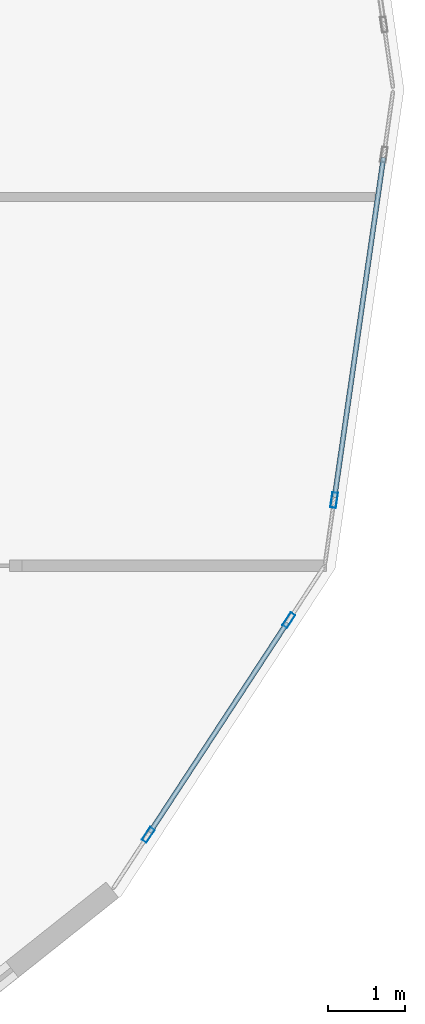
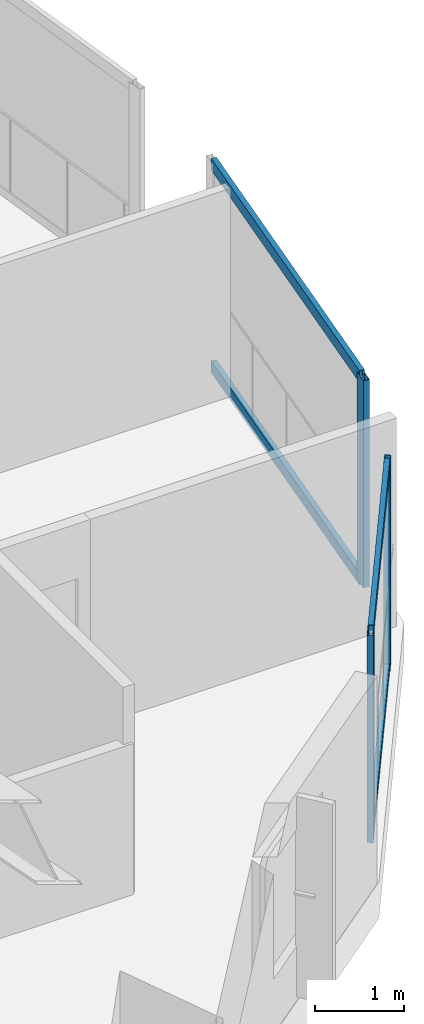
# One storey, part 3 of 14: 7 members, 2 elements without a shape of their own.
"""IFC4 building model written with IfcOpenShell, lengths in metres."""

from ifc_helpers import new_model, si_unit, direction, frame, origin, origin_2d, place, context, subcontext, project, spatial, hollow_rectangle, extrude, material, layer, layer_set, material_profile, profile_set, type_object, element, aggregate, save


model = new_model("IFC4")

# Units and contexts
model_context = context("Model", 3, precision=1e-05, world=origin(), true_north=direction((0.0, 1.0)))
body_context = subcontext(model_context, "Body", "Model", "MODEL_VIEW")
ifc_project = project(units=[si_unit("LENGTHUNIT", "METRE"), si_unit("AREAUNIT", "SQUARE_METRE"), si_unit("VOLUMEUNIT", "CUBIC_METRE"), si_unit("PLANEANGLEUNIT", "RADIAN"), si_unit("MASSUNIT", "GRAM", prefix="KILO")], contexts=[model_context])

# Site, building, storey
site_placement = place(None, origin())
site = spatial("IfcSite", under=ifc_project, at=site_placement, CompositionType="ELEMENT")
building_placement = place(site_placement, origin())
building = spatial("IfcBuilding", under=site, at=building_placement, Name="Solvane Sanctuary Tower", CompositionType="ELEMENT")
storey_placement = place(building_placement, frame((0.0, 0.0, 36.89990234375)))
storey = spatial("IfcBuildingStorey", under=building, at=storey_placement, Name="L10", CompositionType="ELEMENT", Elevation=36.89990234375)

# Curtain wall, members
ifc_material = material(Name="Anodised Aluminium 6063-T6", Category="aluminium")
ifc_layer = layer(ifc_material, 0.2099609375, Name="Anodised Aluminium 6063-T6")
ifc_layer_set = layer_set([ifc_layer], Name="Anodised Aluminium 6063-T6")
curtain_wall_type = type_object("IfcCurtainWallType", Name="Curtain Wall CW-PORTAL", PredefinedType="NOTDEFINED", material=ifc_layer_set)
curtain_wall_1_placement = place(storey_placement, origin())
curtain_wall_1 = element("IfcCurtainWall", 1, at=curtain_wall_1_placement, inside=storey, type_object=curtain_wall_type, Name="L10 CW-PORTAL Facade Run 22", PredefinedType="NOTDEFINED")
ifc_material_profile_1 = material_profile(ifc_material, hollow_rectangle(XDim=0.074951171875, YDim=0.199951171875, WallThickness=0.00390625, at=origin_2d()), Name="ALU200X75X4")
ifc_profile_set_1 = profile_set([ifc_material_profile_1], Name="Anodised Aluminium 6063-T6")
member_type_1 = type_object("IfcMemberType", Name="Member M-CW-MUL-1 ALU200X75X4", PredefinedType="MULLION", material=ifc_profile_set_1)
member_1_placement = place(storey_placement, frame((54.663330078125, 13.2763671875, 0.0), z_axis=(0.0, 0.0, 1.0), x_axis=(-0.836673521159, 0.547701943571, 0.0)))
member_1 = element("IfcMember", 2, at=member_1_placement, type_object=member_type_1, Name="CW-PORTAL mullion 1", PredefinedType="MULLION", context=body_context, shape_type="SweptSolid", body=[
    extrude(hollow_rectangle(XDim=0.074951171875, YDim=0.199951171875, WallThickness=0.00390625, at=origin_2d()), origin(), (0.0, 0.0, 1.0), 2.840087890625),
])
member_2_placement = place(storey_placement, frame((56.496826171875, 16.0771484375, 0.0), z_axis=(0.0, 0.0, 1.0), x_axis=(-0.836673521159, 0.547701943571, 0.0)))
member_2 = element("IfcMember", 3, at=member_2_placement, type_object=member_type_1, Name="CW-PORTAL mullion 2", PredefinedType="MULLION", context=body_context, shape_type="SweptSolid", body=[
    extrude(hollow_rectangle(XDim=0.074951171875, YDim=0.199951171875, WallThickness=0.00390625, at=origin_2d()), origin(), (0.0, 0.0, 1.0), 2.840087890625),
])

# Curtain wall, member
curtain_wall_2_placement = place(storey_placement, origin())
curtain_wall_2 = element("IfcCurtainWall", 4, at=curtain_wall_2_placement, inside=storey, type_object=curtain_wall_type, Name="L10 CW-PORTAL Facade Run 23", PredefinedType="NOTDEFINED")
member_3_placement = place(storey_placement, frame((57.088623046875, 17.643310546875, 0.0), z_axis=(0.0, 0.0, 1.0), x_axis=(-0.989794236162, 0.142503929979, 0.0)))
member_3 = element("IfcMember", 5, at=member_3_placement, type_object=member_type_1, Name="CW-PORTAL mullion 1", PredefinedType="MULLION", context=body_context, shape_type="SweptSolid", body=[
    extrude(hollow_rectangle(XDim=0.074951171875, YDim=0.199951171875, WallThickness=0.00390625, at=origin_2d()), origin(), (0.0, 0.0, 1.0), 2.840087890625),
])

# Member
ifc_material_profile_2 = material_profile(ifc_material, hollow_rectangle(XDim=0.06494140625, YDim=0.159912109375, WallThickness=0.00341796875, at=origin_2d()), Name="ALU160X65X3.5")
ifc_profile_set_2 = profile_set([ifc_material_profile_2], Name="Anodised Aluminium 6063-T6")
member_type_2 = type_object("IfcMemberType", Name="Member M-CW-TRN-1 ALU160X65X3.5", PredefinedType="USERDEFINED", material=ifc_profile_set_2)
member_4_placement = place(storey_placement, frame((54.68408203125, 13.307861328125, 0.03271484375), z_axis=(0.547673418751, 0.836692193338, 0.0), x_axis=(-0.836692193338, 0.547673418751, 0.0)))
member_4 = element("IfcMember", 6, at=member_4_placement, type_object=member_type_2, Name="CW-PORTAL transom 1.1", ObjectType="TRANSOM", PredefinedType="USERDEFINED", context=body_context, shape_type="SweptSolid", body=[
    extrude(hollow_rectangle(XDim=0.06494140625, YDim=0.159912109375, WallThickness=0.00341796875, at=origin_2d()), origin(), (0.0, 0.0, 1.0), 3.2724609375),
])

member_5_placement = place(storey_placement, frame((54.68408203125, 13.307861328125, 2.8076171875), z_axis=(0.547673418751, 0.836692193338, 0.0), x_axis=(-0.836692193338, 0.547673418751, 0.0)))
member_5 = element("IfcMember", 7, at=member_5_placement, type_object=member_type_2, Name="CW-PORTAL transom 1.2", ObjectType="TRANSOM", PredefinedType="USERDEFINED", context=body_context, shape_type="SweptSolid", body=[
    extrude(hollow_rectangle(XDim=0.06494140625, YDim=0.159912109375, WallThickness=0.00341796875, at=origin_2d()), origin(), (0.0, 0.0, 1.0), 3.2724609375),
])

aggregate(curtain_wall_1, [member_1, member_2, member_4, member_5])

member_6_placement = place(storey_placement, frame((57.093994140625, 17.680419921875, 0.03271484375), z_axis=(0.14252000847, 0.989791921156, 0.0), x_axis=(-0.989791921156, 0.14252000847, 0.0)))
member_6 = element("IfcMember", 8, at=member_6_placement, type_object=member_type_2, Name="CW-PORTAL transom 1.1", ObjectType="TRANSOM", PredefinedType="USERDEFINED", context=body_context, shape_type="SweptSolid", body=[
    extrude(hollow_rectangle(XDim=0.06494140625, YDim=0.159912109375, WallThickness=0.00341796875, at=origin_2d()), origin(), (0.0, 0.0, 1.0), 4.4794921875),
])

member_7_placement = place(storey_placement, frame((57.093994140625, 17.680419921875, 2.8076171875), z_axis=(0.14252000847, 0.989791921156, 0.0), x_axis=(-0.989791921156, 0.14252000847, 0.0)))
member_7 = element("IfcMember", 9, at=member_7_placement, type_object=member_type_2, Name="CW-PORTAL transom 1.2", ObjectType="TRANSOM", PredefinedType="USERDEFINED", context=body_context, shape_type="SweptSolid", body=[
    extrude(hollow_rectangle(XDim=0.06494140625, YDim=0.159912109375, WallThickness=0.00341796875, at=origin_2d()), origin(), (0.0, 0.0, 1.0), 4.4794921875),
])

aggregate(curtain_wall_2, [member_3, member_6, member_7])

save(model, "model.ifc")
